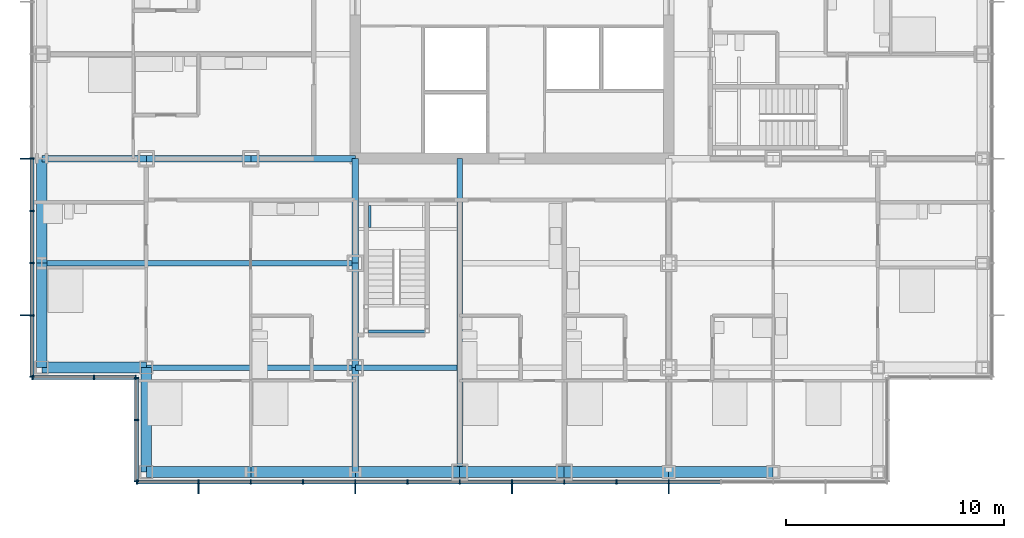
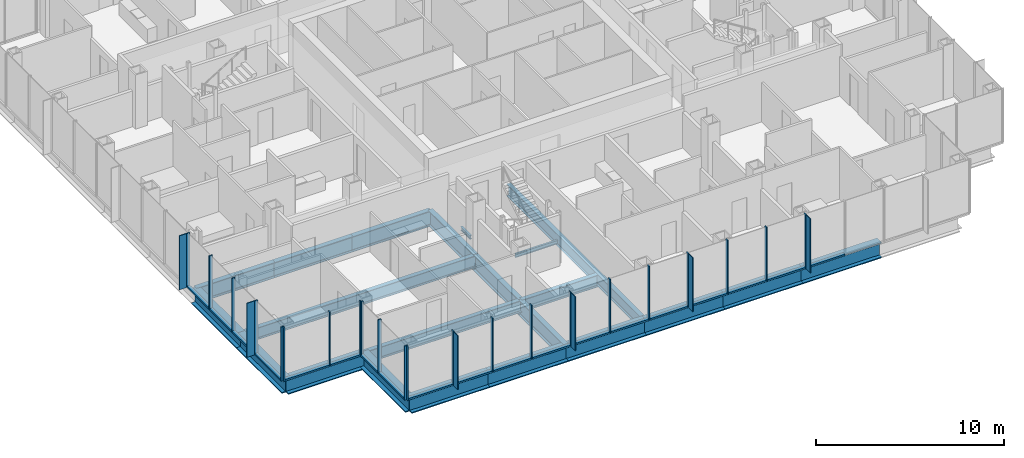
# One storey, part 6 of 21: 47 members, 22 beams, 4 elements without a shape of their own.
"""IFC4 building model written with IfcOpenShell, lengths in metres."""

from ifc_helpers import new_model, si_unit, direction, frame, origin, origin_2d, place, context, subcontext, project, spatial, rectangle, i_section, extrude, material, material_profile, profile_set, type_object, element, aggregate, save


model = new_model("IFC4")

# Units and contexts
model_context = context("Model", 3, precision=1e-05, world=origin(), true_north=direction((0.0, 1.0)))
body_context = subcontext(model_context, "Body", "Model", "MODEL_VIEW")
ifc_project = project(units=[si_unit("LENGTHUNIT", "METRE"), si_unit("AREAUNIT", "SQUARE_METRE"), si_unit("VOLUMEUNIT", "CUBIC_METRE"), si_unit("PLANEANGLEUNIT", "RADIAN"), si_unit("MASSUNIT", "GRAM", prefix="KILO")], contexts=[model_context])

# Site, building, storey
site_placement = place(None, origin())
site = spatial("IfcSite", under=ifc_project, at=site_placement, CompositionType="ELEMENT")
building_placement = place(site_placement, origin())
building = spatial("IfcBuilding", under=site, at=building_placement, Name="Kvirike Care Tower", CompositionType="ELEMENT")
storey_placement = place(building_placement, frame((0.0, 0.0, 48.0)))
storey = spatial("IfcBuildingStorey", under=building, at=storey_placement, Name="L12", CompositionType="ELEMENT", Elevation=48.0)

# Curtain wall, members
ifc_material_1 = material(Name="Anodised aluminium stick system", Category="aluminium")
curtain_wall_type = type_object("IfcCurtainWallType", Name="CW-A STICK CURTAIN WALL", PredefinedType="NOTDEFINED", material=ifc_material_1)
curtain_wall_1_placement = place(storey_placement, origin())
curtain_wall_1 = element("IfcCurtainWall", 1, at=curtain_wall_1_placement, inside=storey, type_object=curtain_wall_type, Name="Curtain wall L12 face 1", PredefinedType="NOTDEFINED")
ifc_material_2 = material(Name="Bronze anodised aluminium fin", Category="aluminium")
ifc_material_profile_1 = material_profile(ifc_material_2, rectangle(XDim=0.050048828125, YDim=0.449951171875, at=origin_2d()), Name="BRONZE FIN 450")
ifc_profile_set_1 = profile_set([ifc_material_profile_1], Name="Bronze anodised aluminium fin")
member_type_1 = type_object("IfcMemberType", Name="BRONZE FIN 450", PredefinedType="USERDEFINED", material=ifc_profile_set_1)
member_1_placement = place(storey_placement, frame((-0.77490234375, 28.800048828125, 0.0), z_axis=(0.0, 0.0, 1.0), x_axis=(0.0, -1.0, 0.0)))
member_1 = element("IfcMember", 2, at=member_1_placement, type_object=member_type_1, Name="Bronze fin L12 face 1.11", ObjectType="FIN", PredefinedType="USERDEFINED", context=body_context, shape_type="SweptSolid", body=[
    extrude(rectangle(XDim=0.050048828125, YDim=0.449951171875, at=origin_2d()), origin(), (0.0, 0.0, 1.0), 3.5),
])
member_2_placement = place(storey_placement, frame((-0.77490234375, 21.60009765625, 0.0), z_axis=(0.0, 0.0, 1.0), x_axis=(0.0, -1.0, 0.0)))
member_2 = element("IfcMember", 3, at=member_2_placement, type_object=member_type_1, Name="Bronze fin L12 face 1.14", ObjectType="FIN", PredefinedType="USERDEFINED", context=body_context, shape_type="SweptSolid", body=[
    extrude(rectangle(XDim=0.050048828125, YDim=0.449951171875, at=origin_2d()), origin(), (0.0, 0.0, 1.0), 3.5),
])

curtain_wall_2_placement = place(storey_placement, origin())
curtain_wall_2 = element("IfcCurtainWall", 4, at=curtain_wall_2_placement, inside=storey, type_object=curtain_wall_type, Name="Curtain wall L12 face 4", PredefinedType="NOTDEFINED")
member_3_placement = place(storey_placement, frame((7.199951171875, 13.625, 0.0), z_axis=(0.0, 0.0, 1.0), x_axis=(1.0, 0.0, 0.0)))
member_3 = element("IfcMember", 5, at=member_3_placement, type_object=member_type_1, Name="Bronze fin L12 face 4.2", ObjectType="FIN", PredefinedType="USERDEFINED", context=body_context, shape_type="SweptSolid", body=[
    extrude(rectangle(XDim=0.050048828125, YDim=0.449951171875, at=origin_2d()), origin(), (0.0, 0.0, 1.0), 3.5),
])
member_4_placement = place(storey_placement, frame((14.39990234375, 13.625, 0.0), z_axis=(0.0, 0.0, 1.0), x_axis=(1.0, 0.0, 0.0)))
member_4 = element("IfcMember", 6, at=member_4_placement, type_object=member_type_1, Name="Bronze fin L12 face 4.5", ObjectType="FIN", PredefinedType="USERDEFINED", context=body_context, shape_type="SweptSolid", body=[
    extrude(rectangle(XDim=0.050048828125, YDim=0.449951171875, at=origin_2d()), origin(), (0.0, 0.0, 1.0), 3.5),
])
member_5_placement = place(storey_placement, frame((21.60009765625, 13.625, 0.0), z_axis=(0.0, 0.0, 1.0), x_axis=(1.0, 0.0, 0.0)))
member_5 = element("IfcMember", 7, at=member_5_placement, type_object=member_type_1, Name="Bronze fin L12 face 4.8", ObjectType="FIN", PredefinedType="USERDEFINED", context=body_context, shape_type="SweptSolid", body=[
    extrude(rectangle(XDim=0.050048828125, YDim=0.449951171875, at=origin_2d()), origin(), (0.0, 0.0, 1.0), 3.5),
])
member_6_placement = place(storey_placement, frame((28.800048828125, 13.625, 0.0), z_axis=(0.0, 0.0, 1.0), x_axis=(1.0, 0.0, 0.0)))
member_6 = element("IfcMember", 8, at=member_6_placement, type_object=member_type_1, Name="Bronze fin L12 face 4.11", ObjectType="FIN", PredefinedType="USERDEFINED", context=body_context, shape_type="SweptSolid", body=[
    extrude(rectangle(XDim=0.050048828125, YDim=0.449951171875, at=origin_2d()), origin(), (0.0, 0.0, 1.0), 3.5),
])

# Member
ifc_material_3 = material(Name="Bronze anodised aluminium mullion", Category="aluminium")
ifc_material_profile_2 = material_profile(ifc_material_3, rectangle(XDim=0.06494140625, YDim=0.199951171875, at=origin_2d()), Name="CW-A MULLION 65x200")
ifc_profile_set_2 = profile_set([ifc_material_profile_2], Name="Bronze anodised aluminium mullion")
member_type_2 = type_object("IfcMemberType", Name="CW-A MULLION 65x200", PredefinedType="MULLION", material=ifc_profile_set_2)
member_7_placement = place(storey_placement, frame((-0.449951171875, 28.800048828125, 0.0), z_axis=(0.0, 0.0, 1.0), x_axis=(0.0, -1.0, 0.0)))
member_7 = element("IfcMember", 9, at=member_7_placement, type_object=member_type_2, Name="CW-A mullion L12 face 1.11", PredefinedType="MULLION", context=body_context, shape_type="SweptSolid", body=[
    extrude(rectangle(XDim=0.06494140625, YDim=0.199951171875, at=origin_2d()), origin(), (0.0, 0.0, 1.0), 3.5),
])

member_8_placement = place(storey_placement, frame((-0.449951171875, 26.39990234375, 0.0), z_axis=(0.0, 0.0, 1.0), x_axis=(0.0, -1.0, 0.0)))
member_8 = element("IfcMember", 10, at=member_8_placement, type_object=member_type_2, Name="CW-A mullion L12 face 1.12", PredefinedType="MULLION", context=body_context, shape_type="SweptSolid", body=[
    extrude(rectangle(XDim=0.06494140625, YDim=0.199951171875, at=origin_2d()), origin(), (0.0, 0.0, 1.0), 3.5),
])

member_9_placement = place(storey_placement, frame((-0.449951171875, 24.0, 0.0), z_axis=(0.0, 0.0, 1.0), x_axis=(0.0, -1.0, 0.0)))
member_9 = element("IfcMember", 11, at=member_9_placement, type_object=member_type_2, Name="CW-A mullion L12 face 1.13", PredefinedType="MULLION", context=body_context, shape_type="SweptSolid", body=[
    extrude(rectangle(XDim=0.06494140625, YDim=0.199951171875, at=origin_2d()), origin(), (0.0, 0.0, 1.0), 3.5),
])

member_10_placement = place(storey_placement, frame((-0.449951171875, 21.60009765625, 0.0), z_axis=(0.0, 0.0, 1.0), x_axis=(0.0, -1.0, 0.0)))
member_10 = element("IfcMember", 12, at=member_10_placement, type_object=member_type_2, Name="CW-A mullion L12 face 1.14", PredefinedType="MULLION", context=body_context, shape_type="SweptSolid", body=[
    extrude(rectangle(XDim=0.06494140625, YDim=0.199951171875, at=origin_2d()), origin(), (0.0, 0.0, 1.0), 3.5),
])

member_11_placement = place(storey_placement, frame((-0.449951171875, 18.782470703125, 0.0), z_axis=(0.0, 0.0, 1.0), x_axis=(0.0, -1.0, 0.0)))
member_11 = element("IfcMember", 13, at=member_11_placement, type_object=member_type_2, Name="CW-A mullion L12 face 1.15", PredefinedType="MULLION", context=body_context, shape_type="SweptSolid", body=[
    extrude(rectangle(XDim=0.06494140625, YDim=0.199951171875, at=origin_2d()), origin(), (0.0, 0.0, 1.0), 3.5),
])

# Curtain wall, members
curtain_wall_3_placement = place(storey_placement, origin())
curtain_wall_3 = element("IfcCurtainWall", 14, at=curtain_wall_3_placement, inside=storey, type_object=curtain_wall_type, Name="Curtain wall L12 face 2", PredefinedType="NOTDEFINED")
member_12_placement = place(storey_placement, frame((-0.41748046875, 18.75, 0.0), z_axis=(0.0, 0.0, 1.0), x_axis=(1.0, 0.0, 0.0)))
member_12 = element("IfcMember", 15, at=member_12_placement, type_object=member_type_2, Name="CW-A mullion L12 face 2.1", PredefinedType="MULLION", context=body_context, shape_type="SweptSolid", body=[
    extrude(rectangle(XDim=0.06494140625, YDim=0.199951171875, at=origin_2d()), origin(), (0.0, 0.0, 1.0), 3.5),
])
member_13_placement = place(storey_placement, frame((2.39990234375, 18.75, 0.0), z_axis=(0.0, 0.0, 1.0), x_axis=(1.0, 0.0, 0.0)))
member_13 = element("IfcMember", 16, at=member_13_placement, type_object=member_type_2, Name="CW-A mullion L12 face 2.2", PredefinedType="MULLION", context=body_context, shape_type="SweptSolid", body=[
    extrude(rectangle(XDim=0.06494140625, YDim=0.199951171875, at=origin_2d()), origin(), (0.0, 0.0, 1.0), 3.5),
])
member_14_placement = place(storey_placement, frame((4.3173828125, 18.75, 0.0), z_axis=(0.0, 0.0, 1.0), x_axis=(1.0, 0.0, 0.0)))
member_14 = element("IfcMember", 17, at=member_14_placement, type_object=member_type_2, Name="CW-A mullion L12 face 2.3", PredefinedType="MULLION", context=body_context, shape_type="SweptSolid", body=[
    extrude(rectangle(XDim=0.06494140625, YDim=0.199951171875, at=origin_2d()), origin(), (0.0, 0.0, 1.0), 3.5),
])

curtain_wall_4_placement = place(storey_placement, origin())
curtain_wall_4 = element("IfcCurtainWall", 18, at=curtain_wall_4_placement, inside=storey, type_object=curtain_wall_type, Name="Curtain wall L12 face 3", PredefinedType="NOTDEFINED")
member_15_placement = place(storey_placement, frame((4.35009765625, 18.717529296875, 0.0), z_axis=(0.0, 0.0, 1.0), x_axis=(0.0, -1.0, 0.0)))
member_15 = element("IfcMember", 19, at=member_15_placement, type_object=member_type_2, Name="CW-A mullion L12 face 3.1", PredefinedType="MULLION", context=body_context, shape_type="SweptSolid", body=[
    extrude(rectangle(XDim=0.06494140625, YDim=0.199951171875, at=origin_2d()), origin(), (0.0, 0.0, 1.0), 3.5),
])
member_16_placement = place(storey_placement, frame((4.35009765625, 16.800048828125, 0.0), z_axis=(0.0, 0.0, 1.0), x_axis=(0.0, -1.0, 0.0)))
member_16 = element("IfcMember", 20, at=member_16_placement, type_object=member_type_2, Name="CW-A mullion L12 face 3.2", PredefinedType="MULLION", context=body_context, shape_type="SweptSolid", body=[
    extrude(rectangle(XDim=0.06494140625, YDim=0.199951171875, at=origin_2d()), origin(), (0.0, 0.0, 1.0), 3.5),
])
member_17_placement = place(storey_placement, frame((4.35009765625, 13.982421875, 0.0), z_axis=(0.0, 0.0, 1.0), x_axis=(0.0, -1.0, 0.0)))
member_17 = element("IfcMember", 21, at=member_17_placement, type_object=member_type_2, Name="CW-A mullion L12 face 3.3", PredefinedType="MULLION", context=body_context, shape_type="SweptSolid", body=[
    extrude(rectangle(XDim=0.06494140625, YDim=0.199951171875, at=origin_2d()), origin(), (0.0, 0.0, 1.0), 3.5),
])

# Member
member_18_placement = place(storey_placement, frame((4.382568359375, 13.949951171875, 0.0), z_axis=(0.0, 0.0, 1.0), x_axis=(1.0, 0.0, 0.0)))
member_18 = element("IfcMember", 22, at=member_18_placement, type_object=member_type_2, Name="CW-A mullion L12 face 4.1", PredefinedType="MULLION", context=body_context, shape_type="SweptSolid", body=[
    extrude(rectangle(XDim=0.06494140625, YDim=0.199951171875, at=origin_2d()), origin(), (0.0, 0.0, 1.0), 3.5),
])

member_19_placement = place(storey_placement, frame((7.199951171875, 13.949951171875, 0.0), z_axis=(0.0, 0.0, 1.0), x_axis=(1.0, 0.0, 0.0)))
member_19 = element("IfcMember", 23, at=member_19_placement, type_object=member_type_2, Name="CW-A mullion L12 face 4.2", PredefinedType="MULLION", context=body_context, shape_type="SweptSolid", body=[
    extrude(rectangle(XDim=0.06494140625, YDim=0.199951171875, at=origin_2d()), origin(), (0.0, 0.0, 1.0), 3.5),
])

member_20_placement = place(storey_placement, frame((9.60009765625, 13.949951171875, 0.0), z_axis=(0.0, 0.0, 1.0), x_axis=(1.0, 0.0, 0.0)))
member_20 = element("IfcMember", 24, at=member_20_placement, type_object=member_type_2, Name="CW-A mullion L12 face 4.3", PredefinedType="MULLION", context=body_context, shape_type="SweptSolid", body=[
    extrude(rectangle(XDim=0.06494140625, YDim=0.199951171875, at=origin_2d()), origin(), (0.0, 0.0, 1.0), 3.5),
])

member_21_placement = place(storey_placement, frame((12.0, 13.949951171875, 0.0), z_axis=(0.0, 0.0, 1.0), x_axis=(1.0, 0.0, 0.0)))
member_21 = element("IfcMember", 25, at=member_21_placement, type_object=member_type_2, Name="CW-A mullion L12 face 4.4", PredefinedType="MULLION", context=body_context, shape_type="SweptSolid", body=[
    extrude(rectangle(XDim=0.06494140625, YDim=0.199951171875, at=origin_2d()), origin(), (0.0, 0.0, 1.0), 3.5),
])

member_22_placement = place(storey_placement, frame((14.39990234375, 13.949951171875, 0.0), z_axis=(0.0, 0.0, 1.0), x_axis=(1.0, 0.0, 0.0)))
member_22 = element("IfcMember", 26, at=member_22_placement, type_object=member_type_2, Name="CW-A mullion L12 face 4.5", PredefinedType="MULLION", context=body_context, shape_type="SweptSolid", body=[
    extrude(rectangle(XDim=0.06494140625, YDim=0.199951171875, at=origin_2d()), origin(), (0.0, 0.0, 1.0), 3.5),
])

member_23_placement = place(storey_placement, frame((16.800048828125, 13.949951171875, 0.0), z_axis=(0.0, 0.0, 1.0), x_axis=(1.0, 0.0, 0.0)))
member_23 = element("IfcMember", 27, at=member_23_placement, type_object=member_type_2, Name="CW-A mullion L12 face 4.6", PredefinedType="MULLION", context=body_context, shape_type="SweptSolid", body=[
    extrude(rectangle(XDim=0.06494140625, YDim=0.199951171875, at=origin_2d()), origin(), (0.0, 0.0, 1.0), 3.5),
])

member_24_placement = place(storey_placement, frame((19.199951171875, 13.949951171875, 0.0), z_axis=(0.0, 0.0, 1.0), x_axis=(1.0, 0.0, 0.0)))
member_24 = element("IfcMember", 28, at=member_24_placement, type_object=member_type_2, Name="CW-A mullion L12 face 4.7", PredefinedType="MULLION", context=body_context, shape_type="SweptSolid", body=[
    extrude(rectangle(XDim=0.06494140625, YDim=0.199951171875, at=origin_2d()), origin(), (0.0, 0.0, 1.0), 3.5),
])

member_25_placement = place(storey_placement, frame((21.60009765625, 13.949951171875, 0.0), z_axis=(0.0, 0.0, 1.0), x_axis=(1.0, 0.0, 0.0)))
member_25 = element("IfcMember", 29, at=member_25_placement, type_object=member_type_2, Name="CW-A mullion L12 face 4.8", PredefinedType="MULLION", context=body_context, shape_type="SweptSolid", body=[
    extrude(rectangle(XDim=0.06494140625, YDim=0.199951171875, at=origin_2d()), origin(), (0.0, 0.0, 1.0), 3.5),
])

member_26_placement = place(storey_placement, frame((24.0, 13.949951171875, 0.0), z_axis=(0.0, 0.0, 1.0), x_axis=(1.0, 0.0, 0.0)))
member_26 = element("IfcMember", 30, at=member_26_placement, type_object=member_type_2, Name="CW-A mullion L12 face 4.9", PredefinedType="MULLION", context=body_context, shape_type="SweptSolid", body=[
    extrude(rectangle(XDim=0.06494140625, YDim=0.199951171875, at=origin_2d()), origin(), (0.0, 0.0, 1.0), 3.5),
])

member_27_placement = place(storey_placement, frame((26.39990234375, 13.949951171875, 0.0), z_axis=(0.0, 0.0, 1.0), x_axis=(1.0, 0.0, 0.0)))
member_27 = element("IfcMember", 31, at=member_27_placement, type_object=member_type_2, Name="CW-A mullion L12 face 4.10", PredefinedType="MULLION", context=body_context, shape_type="SweptSolid", body=[
    extrude(rectangle(XDim=0.06494140625, YDim=0.199951171875, at=origin_2d()), origin(), (0.0, 0.0, 1.0), 3.5),
])

member_28_placement = place(storey_placement, frame((28.800048828125, 13.949951171875, 0.0), z_axis=(0.0, 0.0, 1.0), x_axis=(1.0, 0.0, 0.0)))
member_28 = element("IfcMember", 32, at=member_28_placement, type_object=member_type_2, Name="CW-A mullion L12 face 4.11", PredefinedType="MULLION", context=body_context, shape_type="SweptSolid", body=[
    extrude(rectangle(XDim=0.06494140625, YDim=0.199951171875, at=origin_2d()), origin(), (0.0, 0.0, 1.0), 3.5),
])

ifc_material_4 = material(Name="Bronze anodised aluminium transom", Category="aluminium")
ifc_material_profile_3 = material_profile(ifc_material_4, rectangle(XDim=0.199951171875, YDim=0.10009765625, at=origin_2d()), Name="CW-A TRANSOM 200x100")
ifc_profile_set_3 = profile_set([ifc_material_profile_3], Name="Bronze anodised aluminium transom")
member_type_3 = type_object("IfcMemberType", Name="CW-A TRANSOM 200x100", PredefinedType="USERDEFINED", material=ifc_profile_set_3)
member_29_placement = place(storey_placement, frame((-0.449951171875, 28.767578125, 0.050048828125), z_axis=(0.0, -1.0, 0.0), x_axis=(1.0, 0.0, 0.0)))
member_29 = element("IfcMember", 33, at=member_29_placement, type_object=member_type_3, Name="CW-A sill transom L12 face 1.11", ObjectType="TRANSOM", PredefinedType="USERDEFINED", context=body_context, shape_type="SweptSolid", body=[
    extrude(rectangle(XDim=0.199951171875, YDim=0.10009765625, at=origin_2d()), origin(), (0.0, 0.0, 1.0), 2.3349609375),
])

member_30_placement = place(storey_placement, frame((-0.449951171875, 26.367431640625, 0.050048828125), z_axis=(0.0, -1.0, 0.0), x_axis=(1.0, 0.0, 0.0)))
member_30 = element("IfcMember", 34, at=member_30_placement, type_object=member_type_3, Name="CW-A sill transom L12 face 1.12", ObjectType="TRANSOM", PredefinedType="USERDEFINED", context=body_context, shape_type="SweptSolid", body=[
    extrude(rectangle(XDim=0.199951171875, YDim=0.10009765625, at=origin_2d()), origin(), (0.0, 0.0, 1.0), 2.3349609375),
])

member_31_placement = place(storey_placement, frame((-0.449951171875, 23.967529296875, 0.050048828125), z_axis=(0.0, -1.0, 0.0), x_axis=(1.0, 0.0, 0.0)))
member_31 = element("IfcMember", 35, at=member_31_placement, type_object=member_type_3, Name="CW-A sill transom L12 face 1.13", ObjectType="TRANSOM", PredefinedType="USERDEFINED", context=body_context, shape_type="SweptSolid", body=[
    extrude(rectangle(XDim=0.199951171875, YDim=0.10009765625, at=origin_2d()), origin(), (0.0, 0.0, 1.0), 2.3349609375),
])

member_32_placement = place(storey_placement, frame((-0.449951171875, 21.5673828125, 0.050048828125), z_axis=(0.0, -1.0, 0.0), x_axis=(1.0, 0.0, 0.0)))
member_32 = element("IfcMember", 36, at=member_32_placement, type_object=member_type_3, Name="CW-A sill transom L12 face 1.14", ObjectType="TRANSOM", PredefinedType="USERDEFINED", context=body_context, shape_type="SweptSolid", body=[
    extrude(rectangle(XDim=0.199951171875, YDim=0.10009765625, at=origin_2d()), origin(), (0.0, 0.0, 1.0), 2.75244140625),
])

aggregate(curtain_wall_1, [member_7, member_1, member_8, member_9, member_10, member_2, member_11, member_29, member_30, member_31, member_32])

member_33_placement = place(storey_placement, frame((-0.385009765625, 18.75, 0.050048828125), z_axis=(1.0, 0.0, 0.0), x_axis=(0.0, 1.0, 0.0)))
member_33 = element("IfcMember", 37, at=member_33_placement, type_object=member_type_3, Name="CW-A sill transom L12 face 2.1", ObjectType="TRANSOM", PredefinedType="USERDEFINED", context=body_context, shape_type="SweptSolid", body=[
    extrude(rectangle(XDim=0.199951171875, YDim=0.10009765625, at=origin_2d()), origin(), (0.0, 0.0, 1.0), 2.75244140625),
])

member_34_placement = place(storey_placement, frame((2.4326171875, 18.75, 0.050048828125), z_axis=(1.0, 0.0, 0.0), x_axis=(0.0, 1.0, 0.0)))
member_34 = element("IfcMember", 38, at=member_34_placement, type_object=member_type_3, Name="CW-A sill transom L12 face 2.2", ObjectType="TRANSOM", PredefinedType="USERDEFINED", context=body_context, shape_type="SweptSolid", body=[
    extrude(rectangle(XDim=0.199951171875, YDim=0.10009765625, at=origin_2d()), origin(), (0.0, 0.0, 1.0), 1.852294921875),
])

aggregate(curtain_wall_3, [member_12, member_13, member_14, member_33, member_34])

member_35_placement = place(storey_placement, frame((4.35009765625, 18.68505859375, 0.050048828125), z_axis=(0.0, -1.0, 0.0), x_axis=(1.0, 0.0, 0.0)))
member_35 = element("IfcMember", 39, at=member_35_placement, type_object=member_type_3, Name="CW-A sill transom L12 face 3.1", ObjectType="TRANSOM", PredefinedType="USERDEFINED", context=body_context, shape_type="SweptSolid", body=[
    extrude(rectangle(XDim=0.199951171875, YDim=0.10009765625, at=origin_2d()), origin(), (0.0, 0.0, 1.0), 1.8525390625),
])

member_36_placement = place(storey_placement, frame((4.35009765625, 16.767578125, 0.050048828125), z_axis=(0.0, -1.0, 0.0), x_axis=(1.0, 0.0, 0.0)))
member_36 = element("IfcMember", 40, at=member_36_placement, type_object=member_type_3, Name="CW-A sill transom L12 face 3.2", ObjectType="TRANSOM", PredefinedType="USERDEFINED", context=body_context, shape_type="SweptSolid", body=[
    extrude(rectangle(XDim=0.199951171875, YDim=0.10009765625, at=origin_2d()), origin(), (0.0, 0.0, 1.0), 2.752685546875),
])

aggregate(curtain_wall_4, [member_15, member_16, member_17, member_35, member_36])

member_37_placement = place(storey_placement, frame((4.4150390625, 13.949951171875, 0.050048828125), z_axis=(1.0, 0.0, 0.0), x_axis=(0.0, 1.0, 0.0)))
member_37 = element("IfcMember", 41, at=member_37_placement, type_object=member_type_3, Name="CW-A sill transom L12 face 4.1", ObjectType="TRANSOM", PredefinedType="USERDEFINED", context=body_context, shape_type="SweptSolid", body=[
    extrude(rectangle(XDim=0.199951171875, YDim=0.10009765625, at=origin_2d()), origin(), (0.0, 0.0, 1.0), 2.75244140625),
])

member_38_placement = place(storey_placement, frame((7.232421875, 13.949951171875, 0.050048828125), z_axis=(1.0, 0.0, 0.0), x_axis=(0.0, 1.0, 0.0)))
member_38 = element("IfcMember", 42, at=member_38_placement, type_object=member_type_3, Name="CW-A sill transom L12 face 4.2", ObjectType="TRANSOM", PredefinedType="USERDEFINED", context=body_context, shape_type="SweptSolid", body=[
    extrude(rectangle(XDim=0.199951171875, YDim=0.10009765625, at=origin_2d()), origin(), (0.0, 0.0, 1.0), 2.3349609375),
])

member_39_placement = place(storey_placement, frame((9.632568359375, 13.949951171875, 0.050048828125), z_axis=(1.0, 0.0, 0.0), x_axis=(0.0, 1.0, 0.0)))
member_39 = element("IfcMember", 43, at=member_39_placement, type_object=member_type_3, Name="CW-A sill transom L12 face 4.3", ObjectType="TRANSOM", PredefinedType="USERDEFINED", context=body_context, shape_type="SweptSolid", body=[
    extrude(rectangle(XDim=0.199951171875, YDim=0.10009765625, at=origin_2d()), origin(), (0.0, 0.0, 1.0), 2.3349609375),
])

member_40_placement = place(storey_placement, frame((12.032470703125, 13.949951171875, 0.050048828125), z_axis=(1.0, 0.0, 0.0), x_axis=(0.0, 1.0, 0.0)))
member_40 = element("IfcMember", 44, at=member_40_placement, type_object=member_type_3, Name="CW-A sill transom L12 face 4.4", ObjectType="TRANSOM", PredefinedType="USERDEFINED", context=body_context, shape_type="SweptSolid", body=[
    extrude(rectangle(XDim=0.199951171875, YDim=0.10009765625, at=origin_2d()), origin(), (0.0, 0.0, 1.0), 2.3349609375),
])

member_41_placement = place(storey_placement, frame((14.4326171875, 13.949951171875, 0.050048828125), z_axis=(1.0, 0.0, 0.0), x_axis=(0.0, 1.0, 0.0)))
member_41 = element("IfcMember", 45, at=member_41_placement, type_object=member_type_3, Name="CW-A sill transom L12 face 4.5", ObjectType="TRANSOM", PredefinedType="USERDEFINED", context=body_context, shape_type="SweptSolid", body=[
    extrude(rectangle(XDim=0.199951171875, YDim=0.10009765625, at=origin_2d()), origin(), (0.0, 0.0, 1.0), 2.3349609375),
])

member_42_placement = place(storey_placement, frame((16.83251953125, 13.949951171875, 0.050048828125), z_axis=(1.0, 0.0, 0.0), x_axis=(0.0, 1.0, 0.0)))
member_42 = element("IfcMember", 46, at=member_42_placement, type_object=member_type_3, Name="CW-A sill transom L12 face 4.6", ObjectType="TRANSOM", PredefinedType="USERDEFINED", context=body_context, shape_type="SweptSolid", body=[
    extrude(rectangle(XDim=0.199951171875, YDim=0.10009765625, at=origin_2d()), origin(), (0.0, 0.0, 1.0), 2.3349609375),
])

member_43_placement = place(storey_placement, frame((19.232421875, 13.949951171875, 0.050048828125), z_axis=(1.0, 0.0, 0.0), x_axis=(0.0, 1.0, 0.0)))
member_43 = element("IfcMember", 47, at=member_43_placement, type_object=member_type_3, Name="CW-A sill transom L12 face 4.7", ObjectType="TRANSOM", PredefinedType="USERDEFINED", context=body_context, shape_type="SweptSolid", body=[
    extrude(rectangle(XDim=0.199951171875, YDim=0.10009765625, at=origin_2d()), origin(), (0.0, 0.0, 1.0), 2.3349609375),
])

member_44_placement = place(storey_placement, frame((21.632568359375, 13.949951171875, 0.050048828125), z_axis=(1.0, 0.0, 0.0), x_axis=(0.0, 1.0, 0.0)))
member_44 = element("IfcMember", 48, at=member_44_placement, type_object=member_type_3, Name="CW-A sill transom L12 face 4.8", ObjectType="TRANSOM", PredefinedType="USERDEFINED", context=body_context, shape_type="SweptSolid", body=[
    extrude(rectangle(XDim=0.199951171875, YDim=0.10009765625, at=origin_2d()), origin(), (0.0, 0.0, 1.0), 2.3349609375),
])

member_45_placement = place(storey_placement, frame((24.032470703125, 13.949951171875, 0.050048828125), z_axis=(1.0, 0.0, 0.0), x_axis=(0.0, 1.0, 0.0)))
member_45 = element("IfcMember", 49, at=member_45_placement, type_object=member_type_3, Name="CW-A sill transom L12 face 4.9", ObjectType="TRANSOM", PredefinedType="USERDEFINED", context=body_context, shape_type="SweptSolid", body=[
    extrude(rectangle(XDim=0.199951171875, YDim=0.10009765625, at=origin_2d()), origin(), (0.0, 0.0, 1.0), 2.3349609375),
])

member_46_placement = place(storey_placement, frame((26.4326171875, 13.949951171875, 0.050048828125), z_axis=(1.0, 0.0, 0.0), x_axis=(0.0, 1.0, 0.0)))
member_46 = element("IfcMember", 50, at=member_46_placement, type_object=member_type_3, Name="CW-A sill transom L12 face 4.10", ObjectType="TRANSOM", PredefinedType="USERDEFINED", context=body_context, shape_type="SweptSolid", body=[
    extrude(rectangle(XDim=0.199951171875, YDim=0.10009765625, at=origin_2d()), origin(), (0.0, 0.0, 1.0), 2.3349609375),
])

member_47_placement = place(storey_placement, frame((28.83251953125, 13.949951171875, 0.050048828125), z_axis=(1.0, 0.0, 0.0), x_axis=(0.0, 1.0, 0.0)))
member_47 = element("IfcMember", 51, at=member_47_placement, type_object=member_type_3, Name="CW-A sill transom L12 face 4.11", ObjectType="TRANSOM", PredefinedType="USERDEFINED", context=body_context, shape_type="SweptSolid", body=[
    extrude(rectangle(XDim=0.199951171875, YDim=0.10009765625, at=origin_2d()), origin(), (0.0, 0.0, 1.0), 2.3349609375),
])

aggregate(curtain_wall_2, [member_18, member_19, member_3, member_20, member_21, member_22, member_4, member_23, member_24, member_25, member_5, member_26, member_27, member_28, member_6, member_37, member_38, member_39, member_40, member_41, member_42, member_43, member_44, member_45, member_46, member_47])

# Beams
ifc_material_5 = material(Name="Steel S355", Category="steel")
ifc_material_profile_4 = material_profile(ifc_material_5, i_section(OverallWidth=0.26806640625, OverallDepth=0.77001953125, WebThickness=0.015625, FlangeThickness=0.025390625, FilletRadius=0.01708984375, at=origin_2d()), Name="IPE 750x196")
ifc_profile_set_4 = profile_set([ifc_material_profile_4], Name="Steel S355")
beam_type_1 = type_object("IfcBeamType", Name="FLOOR BEAM IPE 750x196", PredefinedType="BEAM", material=ifc_profile_set_4)
beam_1_placement = place(storey_placement, frame((4.800048828125, 19.199951171875, -0.554931640625), z_axis=(1.0, 0.0, 0.0), x_axis=(0.0, 1.0, 0.0)))
element("IfcBeam", 52, at=beam_1_placement, inside=storey, type_object=beam_type_1, Name="Floor Beam E4-E6 L12", PredefinedType="BEAM", context=body_context, shape_type="SweptSolid", body=[
    extrude(i_section(OverallWidth=0.26806640625, OverallDepth=0.77001953125, WebThickness=0.015625, FlangeThickness=0.025390625, FilletRadius=0.01708984375, at=origin_2d()), origin(), (0.0, 0.0, 1.0), 9.599853515625),
])
beam_2_placement = place(storey_placement, frame((14.39990234375, 19.199951171875, -0.554931640625), z_axis=(1.0, 0.0, 0.0), x_axis=(0.0, 1.0, 0.0)))
element("IfcBeam", 53, at=beam_2_placement, inside=storey, type_object=beam_type_1, Name="Floor Beam E6-E7 L12", PredefinedType="BEAM", context=body_context, shape_type="SweptSolid", body=[
    extrude(i_section(OverallWidth=0.26806640625, OverallDepth=0.77001953125, WebThickness=0.015625, FlangeThickness=0.025390625, FilletRadius=0.01708984375, at=origin_2d()), origin(), (0.0, 0.0, 1.0), 4.666015625),
])
beam_3_placement = place(storey_placement, frame((0.0, 24.0, -0.554931640625), z_axis=(1.0, 0.0, 0.0), x_axis=(0.0, 1.0, 0.0)))
element("IfcBeam", 54, at=beam_3_placement, inside=storey, type_object=beam_type_1, Name="Floor Beam F3-F6 L12", PredefinedType="BEAM", context=body_context, shape_type="SweptSolid", body=[
    extrude(i_section(OverallWidth=0.26806640625, OverallDepth=0.77001953125, WebThickness=0.015625, FlangeThickness=0.025390625, FilletRadius=0.01708984375, at=origin_2d()), origin(), (0.0, 0.0, 1.0), 14.39990234375),
])
beam_4_placement = place(storey_placement, frame((19.199951171875, 14.39990234375, -0.554931640625), z_axis=(0.0, 1.0, 0.0), x_axis=(-1.0, 0.0, 0.0)))
element("IfcBeam", 55, at=beam_4_placement, inside=storey, type_object=beam_type_1, Name="Floor Beam D7-G7 L12", PredefinedType="BEAM", context=body_context, shape_type="SweptSolid", body=[
    extrude(i_section(OverallWidth=0.26806640625, OverallDepth=0.77001953125, WebThickness=0.015625, FlangeThickness=0.025390625, FilletRadius=0.01708984375, at=origin_2d()), origin(), (0.0, 0.0, 1.0), 14.400146484375),
])
ifc_material_6 = material(Name="Steel S355", Category="steel")
ifc_material_profile_5 = material_profile(ifc_material_6, i_section(OverallWidth=0.300048828125, OverallDepth=1.0, WebThickness=0.01904296875, FlangeThickness=0.035888671875, FilletRadius=0.030029296875, at=origin_2d()), Name="HE 1000 B")
ifc_profile_set_5 = profile_set([ifc_material_profile_5], Name="Steel S355")
beam_type_2 = type_object("IfcBeamType", Name="FRAME BEAM HE 1000 B", PredefinedType="BEAM", material=ifc_profile_set_5)
for number, where, z_axis, x_axis, name in (
    (56, (0.0, 28.800048828125, -0.669921875), (1.0, 0.0, 0.0), (0.0, 1.0, 0.0), "Frame Beam G3-G4 L12"),
    (57, (4.800048828125, 28.800048828125, -0.669921875), (1.0, 0.0, 0.0), (0.0, 1.0, 0.0), "Frame Beam G4-G5 L12"),
):
    element("IfcBeam", number, at=place(storey_placement, frame(where, z_axis=z_axis, x_axis=x_axis)), inside=storey, type_object=beam_type_2, Name=name, PredefinedType="BEAM", context=body_context, shape_type="SweptSolid", body=[
        extrude(i_section(OverallWidth=0.300048828125, OverallDepth=1.0, WebThickness=0.01904296875, FlangeThickness=0.035888671875, FilletRadius=0.030029296875, at=origin_2d()), origin(), (0.0, 0.0, 1.0), 4.800048828125),
    ])
beam_5_placement = place(storey_placement, frame((9.60009765625, 28.800048828125, -0.669921875), z_axis=(1.0, 0.0, 0.0), x_axis=(0.0, 1.0, 0.0)))
element("IfcBeam", 58, at=beam_5_placement, inside=storey, type_object=beam_type_2, Name="Frame Beam G5-G6 L12", PredefinedType="BEAM", context=body_context, shape_type="SweptSolid", body=[
    extrude(i_section(OverallWidth=0.300048828125, OverallDepth=1.0, WebThickness=0.01904296875, FlangeThickness=0.035888671875, FilletRadius=0.030029296875, at=origin_2d()), origin(), (0.0, 0.0, 1.0), 4.7998046875),
])
for number, where, z_axis, x_axis, name in (
    (59, (14.39990234375, 14.39990234375, -0.669921875), (0.0, 1.0, 0.0), (-1.0, 0.0, 0.0), "Frame Beam D6-E6 L12"),
    (60, (14.39990234375, 19.199951171875, -0.669921875), (0.0, 1.0, 0.0), (-1.0, 0.0, 0.0), "Frame Beam E6-F6 L12"),
    (61, (14.39990234375, 24.0, -0.669921875), (0.0, 1.0, 0.0), (-1.0, 0.0, 0.0), "Frame Beam F6-G6 L12"),
):
    element("IfcBeam", number, at=place(storey_placement, frame(where, z_axis=z_axis, x_axis=x_axis)), inside=storey, type_object=beam_type_2, Name=name, PredefinedType="BEAM", context=body_context, shape_type="SweptSolid", body=[
        extrude(i_section(OverallWidth=0.300048828125, OverallDepth=1.0, WebThickness=0.01904296875, FlangeThickness=0.035888671875, FilletRadius=0.030029296875, at=origin_2d()), origin(), (0.0, 0.0, 1.0), 4.800048828125),
    ])
ifc_material_7 = material(Name="Steel S355", Category="steel")
ifc_material_profile_6 = material_profile(ifc_material_7, i_section(OverallWidth=0.5, OverallDepth=1.0, WebThickness=0.030029296875, FlangeThickness=0.06005859375, at=origin_2d()), Name="PG 1000x500x30x60")
ifc_profile_set_6 = profile_set([ifc_material_profile_6], Name="Steel S355")
beam_type_3 = type_object("IfcBeamType", Name="SPANDREL PG 1000x500x30x60", PredefinedType="SPANDREL", material=ifc_profile_set_6)
beam_6_placement = place(storey_placement, frame((4.800048828125, 14.39990234375, -0.669921875), z_axis=(1.0, 0.0, 0.0), x_axis=(0.0, 1.0, 0.0)))
element("IfcBeam", 62, at=beam_6_placement, inside=storey, type_object=beam_type_3, Name="Spandrel D4-D5 L12", PredefinedType="SPANDREL", context=body_context, shape_type="SweptSolid", body=[
    extrude(i_section(OverallWidth=0.5, OverallDepth=1.0, WebThickness=0.030029296875, FlangeThickness=0.06005859375, at=origin_2d()), origin(), (0.0, 0.0, 1.0), 4.800048828125),
])
beam_7_placement = place(storey_placement, frame((9.60009765625, 14.39990234375, -0.669921875), z_axis=(1.0, 0.0, 0.0), x_axis=(0.0, 1.0, 0.0)))
element("IfcBeam", 63, at=beam_7_placement, inside=storey, type_object=beam_type_3, Name="Spandrel D5-D6 L12", PredefinedType="SPANDREL", context=body_context, shape_type="SweptSolid", body=[
    extrude(i_section(OverallWidth=0.5, OverallDepth=1.0, WebThickness=0.030029296875, FlangeThickness=0.06005859375, at=origin_2d()), origin(), (0.0, 0.0, 1.0), 4.7998046875),
])
for number, where, z_axis, x_axis, name in (
    (64, (14.39990234375, 14.39990234375, -0.669921875), (1.0, 0.0, 0.0), (0.0, 1.0, 0.0), "Spandrel D6-D7 L12"),
    (65, (19.199951171875, 14.39990234375, -0.669921875), (1.0, 0.0, 0.0), (0.0, 1.0, 0.0), "Spandrel D7-D8 L12"),
    (66, (24.0, 14.39990234375, -0.669921875), (1.0, 0.0, 0.0), (0.0, 1.0, 0.0), "Spandrel D8-D9 L12"),
    (67, (28.800048828125, 14.39990234375, -0.669921875), (1.0, 0.0, 0.0), (0.0, 1.0, 0.0), "Spandrel D9-D10 L12"),
    (68, (0.0, 19.199951171875, -0.669921875), (1.0, 0.0, 0.0), (0.0, 1.0, 0.0), "Spandrel E3-E4 L12"),
    (69, (0.0, 19.199951171875, -0.669921875), (0.0, 1.0, 0.0), (-1.0, 0.0, 0.0), "Spandrel E3-F3 L12"),
    (70, (0.0, 24.0, -0.669921875), (0.0, 1.0, 0.0), (-1.0, 0.0, 0.0), "Spandrel F3-G3 L12"),
    (71, (4.800048828125, 14.39990234375, -0.669921875), (0.0, 1.0, 0.0), (-1.0, 0.0, 0.0), "Spandrel D4-E4 L12"),
):
    element("IfcBeam", number, at=place(storey_placement, frame(where, z_axis=z_axis, x_axis=x_axis)), inside=storey, type_object=beam_type_3, Name=name, PredefinedType="SPANDREL", context=body_context, shape_type="SweptSolid", body=[
        extrude(i_section(OverallWidth=0.5, OverallDepth=1.0, WebThickness=0.030029296875, FlangeThickness=0.06005859375, at=origin_2d()), origin(), (0.0, 0.0, 1.0), 4.800048828125),
    ])
ifc_material_8 = material(Name="Steel S355", Category="steel")
ifc_material_profile_7 = material_profile(ifc_material_8, i_section(OverallWidth=0.1201171875, OverallDepth=0.239990234375, WebThickness=0.006103515625, FlangeThickness=0.009765625, FilletRadius=0.014892578125, at=origin_2d()), Name="IPE 240")
ifc_profile_set_7 = profile_set([ifc_material_profile_7], Name="Steel S355")
beam_type_4 = type_object("IfcBeamType", Name="STAIR LANDING BEAM IPE 240", PredefinedType="BEAM", material=ifc_profile_set_7)
beam_8_placement = place(storey_placement, frame((15.0, 20.860107421875, 1.429931640625), z_axis=(1.0, 0.0, 0.0), x_axis=(0.0, 1.0, 0.0)))
element("IfcBeam", 72, at=beam_8_placement, inside=storey, type_object=beam_type_4, Name="Stair 5 landing beam back L12", PredefinedType="BEAM", context=body_context, shape_type="SweptSolid", body=[
    extrude(i_section(OverallWidth=0.1201171875, OverallDepth=0.239990234375, WebThickness=0.006103515625, FlangeThickness=0.009765625, FilletRadius=0.014892578125, at=origin_2d()), origin(), (0.0, 0.0, 1.0), 2.60009765625),
])
beam_9_placement = place(storey_placement, frame((15.06005859375, 25.64990234375, -0.320068359375), z_axis=(0.0, 1.0, 0.0), x_axis=(-1.0, 0.0, 0.0)))
element("IfcBeam", 73, at=beam_9_placement, inside=storey, type_object=beam_type_4, Name="Stair 5 landing edge beam 1 L12", PredefinedType="BEAM", context=body_context, shape_type="SweptSolid", body=[
    extrude(i_section(OverallWidth=0.1201171875, OverallDepth=0.239990234375, WebThickness=0.006103515625, FlangeThickness=0.009765625, FilletRadius=0.014892578125, at=origin_2d()), origin(), (0.0, 0.0, 1.0), 1.0),
])

save(model, "model.ifc")
